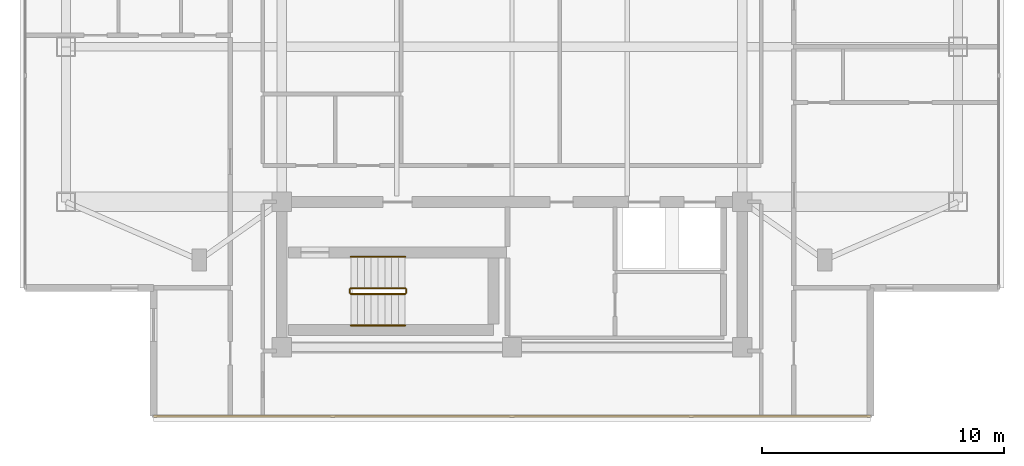
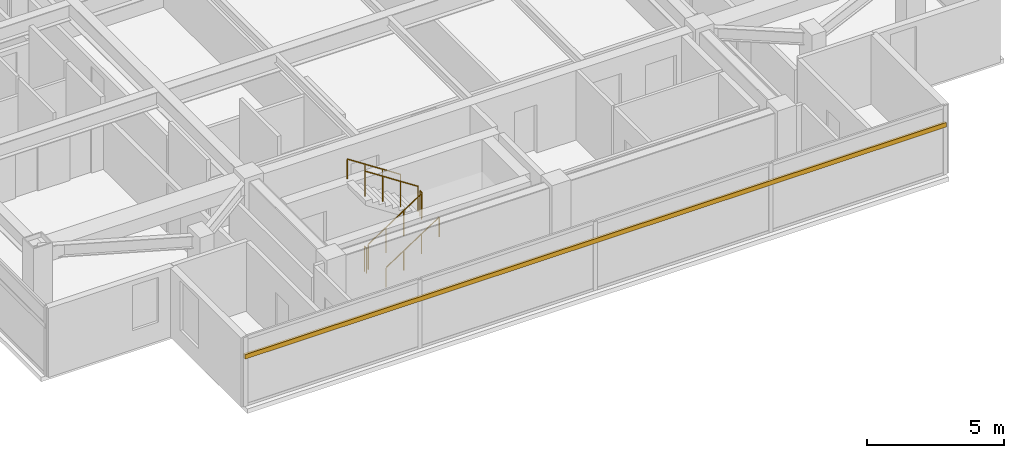
# One storey, part 10 of 12: 6 railings, 1 shading device.
"""IFC4 building model written with IfcOpenShell, lengths in metres."""

from ifc_helpers import new_model, si_unit, direction, frame, origin, origin_2d, place, context, subcontext, project, spatial, rectangle, circle, extrude, material, material_profile, profile_set, type_object, element, save


model = new_model("IFC4")

# Units and contexts
model_context = context("Model", 3, precision=1e-05, world=origin(), true_north=direction((0.0, 1.0)))
body_context = subcontext(model_context, "Body", "Model", "MODEL_VIEW")
ifc_project = project(units=[si_unit("LENGTHUNIT", "METRE"), si_unit("AREAUNIT", "SQUARE_METRE"), si_unit("VOLUMEUNIT", "CUBIC_METRE"), si_unit("PLANEANGLEUNIT", "RADIAN"), si_unit("MASSUNIT", "GRAM", prefix="KILO")], contexts=[model_context])

# Site, building, storey
site_placement = place(None, origin())
site = spatial("IfcSite", under=ifc_project, at=site_placement, CompositionType="ELEMENT")
building_placement = place(site_placement, origin())
building = spatial("IfcBuilding", under=site, at=building_placement, Name="Mirazonda Arch Towers", CompositionType="ELEMENT")
storey_placement = place(building_placement, frame((0.0, 0.0, 219.39990234375)))
storey = spatial("IfcBuildingStorey", under=building, at=storey_placement, Name="L62", CompositionType="ELEMENT", Elevation=219.39990234375)

# Shading device
ifc_material_1 = material(Name="Kiln-Fired Architectural Terracotta", Category="masonry")
ifc_material_profile = material_profile(ifc_material_1, rectangle(XDim=0.10009765625, YDim=0.199951171875, at=origin_2d()), Name="TERRA-BAG-100x200")
ifc_profile_set = profile_set([ifc_material_profile], Name="Kiln-Fired Architectural Terracotta")
shading_device_type = type_object("IfcShadingDeviceType", Name="BAGUETTE-2", PredefinedType="USERDEFINED", material=ifc_profile_set)
shading_device_placement = place(storey_placement, frame((35.2900390625, 9.56005859375, 2.2177734375), z_axis=(-1.0, 0.0, 0.0), x_axis=(0.0, -1.0, 0.0)))
element("IfcShadingDevice", 1, at=shading_device_placement, inside=storey, type_object=shading_device_type, Name="L62 Glazed Terracotta Sun-Screen Baguette CW-L62-T1-S", ObjectType="BAGUETTE", PredefinedType="USERDEFINED", context=body_context, shape_type="SweptSolid", body=[
    extrude(rectangle(XDim=0.10009765625, YDim=0.199951171875, at=origin_2d()), origin(), (0.0, 0.0, 1.0), 29.580078125),
])

# Railings
ifc_material_2 = material(Name="Architectural Brushed Steel S355", Category="steel")
railing_type_1 = type_object("IfcRailingType", Name="GUARD-STAIR-1120", PredefinedType="GUARDRAIL", material=ifc_material_2)
railing_1_placement = place(storey_placement, frame((13.85009765625, 14.60009765625, 0.183349609375)))
element("IfcRailing", 2, at=railing_1_placement, inside=storey, type_object=railing_type_1, Name="L62 ST-T1S stair guard 1", PredefinedType="GUARDRAIL", context=body_context, shape_type="SweptSolid", body=[
    extrude(circle(Radius=0.02392578125, at=origin_2d()), frame((0.0, 0.0, 1.1259765625), z_axis=(0.836595146698, 0.0, 0.547821650285), x_axis=(0.0, 1.0, 0.0)), (0.0, 0.0, 1.0), 2.677490234375),
    extrude(circle(Radius=0.02099609375, at=origin_2d()), origin(), (0.0, 0.0, 1.0), 1.101806640625),
    extrude(circle(Radius=0.02099609375, at=origin_2d()), frame((0.74658203125, 0.0, 0.489013671875)), (0.0, 0.0, 1.0), 1.101806640625),
    extrude(circle(Radius=0.02099609375, at=origin_2d()), frame((1.493408203125, 0.0, 0.977783203125)), (0.0, 0.0, 1.0), 1.101806640625),
    extrude(circle(Radius=0.02099609375, at=origin_2d()), frame((2.239990234375, 0.0, 1.466796875)), (0.0, 0.0, 1.0), 1.101806640625),
])
railing_2_placement = place(storey_placement, frame((16.139892578125, 14.64990234375, 1.650146484375)))
element("IfcRailing", 3, at=railing_2_placement, inside=storey, type_object=railing_type_1, Name="L62 ST-T1S stair guard 2", PredefinedType="GUARDRAIL", context=body_context, shape_type="SweptSolid", body=[
    extrude(circle(Radius=0.02392578125, at=origin_2d()), frame((0.0, 0.0, 1.1259765625), z_axis=(0.0, 1.0, 0.0), x_axis=(-1.0, 0.0, 0.0)), (0.0, 0.0, 1.0), 0.14013671875),
    extrude(circle(Radius=0.02099609375, at=origin_2d()), origin(), (0.0, 0.0, 1.0), 1.101806640625),
    extrude(circle(Radius=0.02099609375, at=origin_2d()), frame((0.0, 0.14013671875, 0.0)), (0.0, 0.0, 1.0), 1.101806640625),
])
railing_3_placement = place(storey_placement, frame((16.090087890625, 14.840087890625, 1.83349609375)))
element("IfcRailing", 4, at=railing_3_placement, inside=storey, type_object=railing_type_1, Name="L62 ST-T1S stair guard 3", PredefinedType="GUARDRAIL", context=body_context, shape_type="SweptSolid", body=[
    extrude(circle(Radius=0.02392578125, at=origin_2d()), frame((0.0, 0.0, 1.1259765625), z_axis=(-0.836636935527, 0.0, 0.547757827979), x_axis=(0.0, -1.0, 0.0)), (0.0, 0.0, 1.0), 2.677490234375),
    extrude(circle(Radius=0.02099609375, at=origin_2d()), origin(), (0.0, 0.0, 1.0), 1.101806640625),
    extrude(circle(Radius=0.02099609375, at=origin_2d()), frame((-0.74658203125, 0.0, 0.48876953125)), (0.0, 0.0, 1.0), 1.101806640625),
    extrude(circle(Radius=0.02099609375, at=origin_2d()), frame((-1.493408203125, 0.0, 0.977783203125)), (0.0, 0.0, 1.0), 1.101806640625),
    extrude(circle(Radius=0.02099609375, at=origin_2d()), frame((-2.239990234375, 0.0, 1.466552734375)), (0.0, 0.0, 1.0), 1.101806640625),
])
railing_4_placement = place(storey_placement, frame((13.800048828125, 14.64990234375, 0.0)))
element("IfcRailing", 5, at=railing_4_placement, inside=storey, type_object=railing_type_1, Name="L62 ST-T1S stair guard 4", PredefinedType="GUARDRAIL", context=body_context, shape_type="SweptSolid", body=[
    extrude(circle(Radius=0.02392578125, at=origin_2d()), frame((0.0, 0.0, 1.1259765625), z_axis=(0.0, 1.0, 0.0), x_axis=(-1.0, 0.0, 0.0)), (0.0, 0.0, 1.0), 0.14013671875),
    extrude(circle(Radius=0.02099609375, at=origin_2d()), origin(), (0.0, 0.0, 1.0), 1.101806640625),
    extrude(circle(Radius=0.02099609375, at=origin_2d()), frame((0.0, 0.14013671875, 0.0)), (0.0, 0.0, 1.0), 1.101806640625),
])
railing_type_2 = type_object("IfcRailingType", Name="HANDRAIL-915", PredefinedType="HANDRAIL", material=ifc_material_2)
railing_5_placement = place(storey_placement, frame((13.85009765625, 13.300048828125, 0.183349609375)))
element("IfcRailing", 6, at=railing_5_placement, inside=storey, type_object=railing_type_2, Name="L62 ST-T1S stair handrail 1", PredefinedType="HANDRAIL", context=body_context, shape_type="SweptSolid", body=[
    extrude(circle(Radius=0.02392578125, at=origin_2d()), frame((0.0, 0.0, 0.8759765625), z_axis=(0.836595146698, 0.0, 0.547821650285), x_axis=(0.0, 1.0, 0.0)), (0.0, 0.0, 1.0), 2.677490234375),
    extrude(circle(Radius=0.02099609375, at=origin_2d()), origin(), (0.0, 0.0, 1.0), 0.851806640625),
    extrude(circle(Radius=0.02099609375, at=origin_2d()), frame((0.74658203125, 0.0, 0.489013671875)), (0.0, 0.0, 1.0), 0.851806640625),
    extrude(circle(Radius=0.02099609375, at=origin_2d()), frame((1.493408203125, 0.0, 0.977783203125)), (0.0, 0.0, 1.0), 0.851806640625),
    extrude(circle(Radius=0.02099609375, at=origin_2d()), frame((2.239990234375, 0.0, 1.466796875)), (0.0, 0.0, 1.0), 0.851806640625),
])
railing_6_placement = place(storey_placement, frame((16.090087890625, 16.139892578125, 1.83349609375)))
element("IfcRailing", 7, at=railing_6_placement, inside=storey, type_object=railing_type_2, Name="L62 ST-T1S stair handrail 2", PredefinedType="HANDRAIL", context=body_context, shape_type="SweptSolid", body=[
    extrude(circle(Radius=0.02392578125, at=origin_2d()), frame((0.0, 0.0, 0.8759765625), z_axis=(-0.836636935527, 0.0, 0.547757827979), x_axis=(0.0, -1.0, 0.0)), (0.0, 0.0, 1.0), 2.677490234375),
    extrude(circle(Radius=0.02099609375, at=origin_2d()), origin(), (0.0, 0.0, 1.0), 0.851806640625),
    extrude(circle(Radius=0.02099609375, at=origin_2d()), frame((-0.74658203125, 0.0, 0.48876953125)), (0.0, 0.0, 1.0), 0.851806640625),
    extrude(circle(Radius=0.02099609375, at=origin_2d()), frame((-1.493408203125, 0.0, 0.977783203125)), (0.0, 0.0, 1.0), 0.851806640625),
    extrude(circle(Radius=0.02099609375, at=origin_2d()), frame((-2.239990234375, 0.0, 1.466552734375)), (0.0, 0.0, 1.0), 0.851806640625),
])

save(model, "model.ifc")
